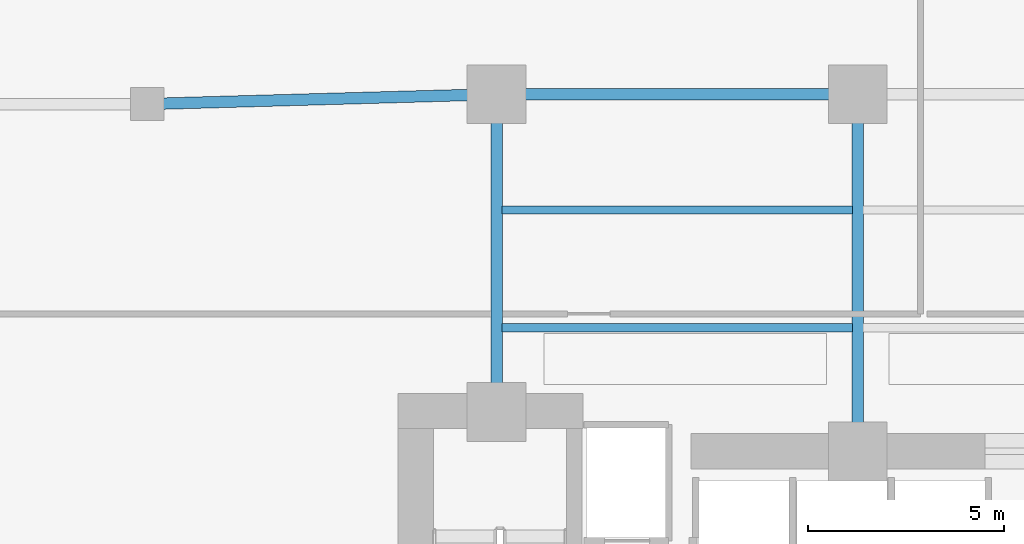
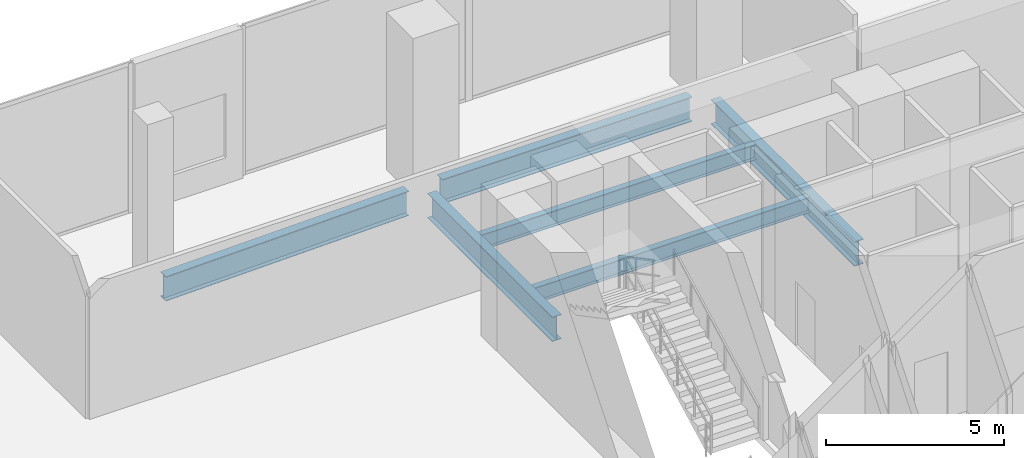
# One storey, part 13 of 30: 6 beams.
"""IFC4 building model written with IfcOpenShell, lengths in metres."""

from ifc_helpers import new_model, si_unit, direction, frame, origin, origin_2d, place, context, subcontext, project, spatial, i_section, extrude, material, material_profile, profile_set, type_object, element, save


model = new_model("IFC4")

# Units and contexts
model_context = context("Model", 3, precision=1e-05, world=origin(), true_north=direction((0.0, 1.0)))
body_context = subcontext(model_context, "Body", "Model", "MODEL_VIEW")
ifc_project = project(units=[si_unit("LENGTHUNIT", "METRE"), si_unit("AREAUNIT", "SQUARE_METRE"), si_unit("VOLUMEUNIT", "CUBIC_METRE"), si_unit("PLANEANGLEUNIT", "RADIAN"), si_unit("MASSUNIT", "GRAM", prefix="KILO")], contexts=[model_context])

# Site, building, storey
site_placement = place(None, origin())
site = spatial("IfcSite", under=ifc_project, at=site_placement, CompositionType="ELEMENT")
building_placement = place(site_placement, origin())
building = spatial("IfcBuilding", under=site, at=building_placement, Name="Zuhayl Quay Hotel", CompositionType="ELEMENT")
storey_placement = place(building_placement, frame((0.0, 0.0, 6.0)))
storey = spatial("IfcBuildingStorey", under=building, at=storey_placement, Name="L01", CompositionType="ELEMENT", Elevation=6.0)

# Beams
ifc_material = material(Name="Steel ASTM A992 Grade 50", Category="steel")
ifc_material_profile_1 = material_profile(ifc_material, i_section(OverallWidth=0.208984375, OverallDepth=0.532958984375, WebThickness=0.01025390625, FlangeThickness=0.015625, at=origin_2d()), Name="W21X62")
ifc_profile_set_1 = profile_set([ifc_material_profile_1], Name="Steel ASTM A992 Grade 50")
beam_type_1 = type_object("IfcBeamType", Name="BM_J1_W21X62", PredefinedType="JOIST", material=ifc_profile_set_1)
for number, where, z_axis, x_axis, name in (
    (1, (-13.662109375, 16.5, -0.5166015625), (1.0, 0.0, 0.0), (0.0, 1.0, 0.0), "L01 Floor Beam J_POD_L01_4_1"),
    (2, (-13.662109375, 19.5, -0.5166015625), (1.0, 0.0, 0.0), (0.0, 1.0, 0.0), "L01 Floor Beam J_POD_L01_5_1"),
):
    element("IfcBeam", number, at=place(storey_placement, frame(where, z_axis=z_axis, x_axis=x_axis)), inside=storey, type_object=beam_type_1, Name=name, PredefinedType="JOIST", context=body_context, shape_type="SweptSolid", body=[
        extrude(i_section(OverallWidth=0.208984375, OverallDepth=0.532958984375, WebThickness=0.01025390625, FlangeThickness=0.015625, at=origin_2d()), origin(), (0.0, 0.0, 1.0), 8.924072265625),
    ])
ifc_material_profile_2 = material_profile(ifc_material, i_section(OverallWidth=0.2919921875, OverallDepth=0.845947265625, WebThickness=0.015380859375, FlangeThickness=0.0244140625, at=origin_2d()), Name="W33X141")
ifc_profile_set_2 = profile_set([ifc_material_profile_2], Name="Steel ASTM A992 Grade 50")
beam_type_2 = type_object("IfcBeamType", Name="BM_PG3_W33X141", PredefinedType="BEAM", material=ifc_profile_set_2)
beam_1_placement = place(storey_placement, frame((-22.360107421875, 22.20947265625, -0.673095703125), z_axis=(0.99960539529, 0.028090099801, 0.0), x_axis=(-0.028090099801, 0.99960539529, 0.0)))
element("IfcBeam", 3, at=beam_1_placement, inside=storey, type_object=beam_type_2, Name="L01 Floor Beam PG_N_L01_1", PredefinedType="BEAM", context=body_context, shape_type="SweptSolid", body=[
    extrude(i_section(OverallWidth=0.2919921875, OverallDepth=0.845947265625, WebThickness=0.015380859375, FlangeThickness=0.0244140625, at=origin_2d()), origin(), (0.0, 0.0, 1.0), 8.013427734375),
])
beam_2_placement = place(storey_placement, frame((-13.25, 22.449951171875, -0.673095703125), z_axis=(1.0, 0.0, 0.0), x_axis=(0.0, 1.0, 0.0)))
element("IfcBeam", 4, at=beam_2_placement, inside=storey, type_object=beam_type_2, Name="L01 Floor Beam PG_N_L01_2", PredefinedType="BEAM", context=body_context, shape_type="SweptSolid", body=[
    extrude(i_section(OverallWidth=0.2919921875, OverallDepth=0.845947265625, WebThickness=0.015380859375, FlangeThickness=0.0244140625, at=origin_2d()), origin(), (0.0, 0.0, 1.0), 8.10009765625),
])
beam_3_placement = place(storey_placement, frame((-13.800048828125, 14.919921875, -0.673095703125), z_axis=(0.0, 1.0, 0.0), x_axis=(-1.0, 0.0, 0.0)))
element("IfcBeam", 5, at=beam_3_placement, inside=storey, type_object=beam_type_2, Name="L01 Floor Beam PG_NS3_L01_1", PredefinedType="BEAM", context=body_context, shape_type="SweptSolid", body=[
    extrude(i_section(OverallWidth=0.2919921875, OverallDepth=0.845947265625, WebThickness=0.015380859375, FlangeThickness=0.0244140625, at=origin_2d()), origin(), (0.0, 0.0, 1.0), 7.010009765625),
])
beam_4_placement = place(storey_placement, frame((-4.60009765625, 13.8701171875, -0.673095703125), z_axis=(0.0, 1.0, 0.0), x_axis=(-1.0, 0.0, 0.0)))
element("IfcBeam", 6, at=beam_4_placement, inside=storey, type_object=beam_type_2, Name="L01 Floor Beam PG_NS3_L01_2", PredefinedType="BEAM", context=body_context, shape_type="SweptSolid", body=[
    extrude(i_section(OverallWidth=0.2919921875, OverallDepth=0.845947265625, WebThickness=0.015380859375, FlangeThickness=0.0244140625, at=origin_2d()), origin(), (0.0, 0.0, 1.0), 8.059814453125),
])

save(model, "model.ifc")
